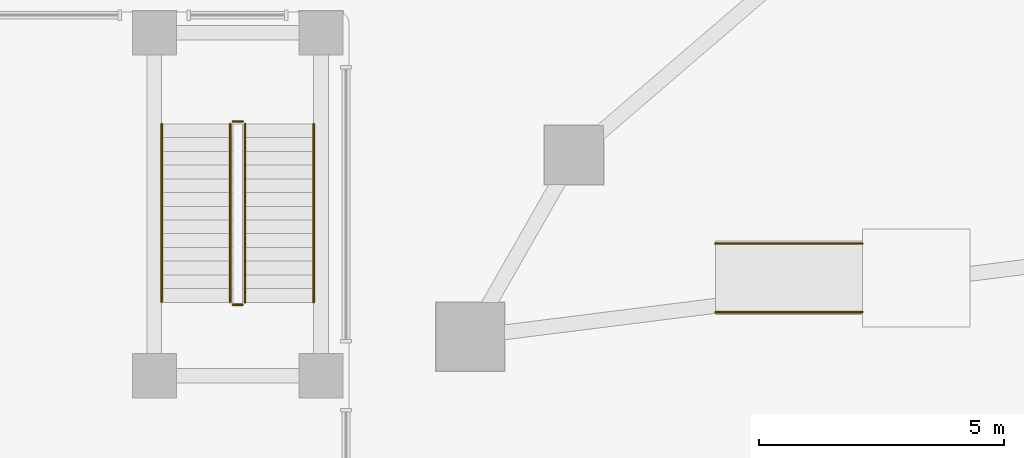
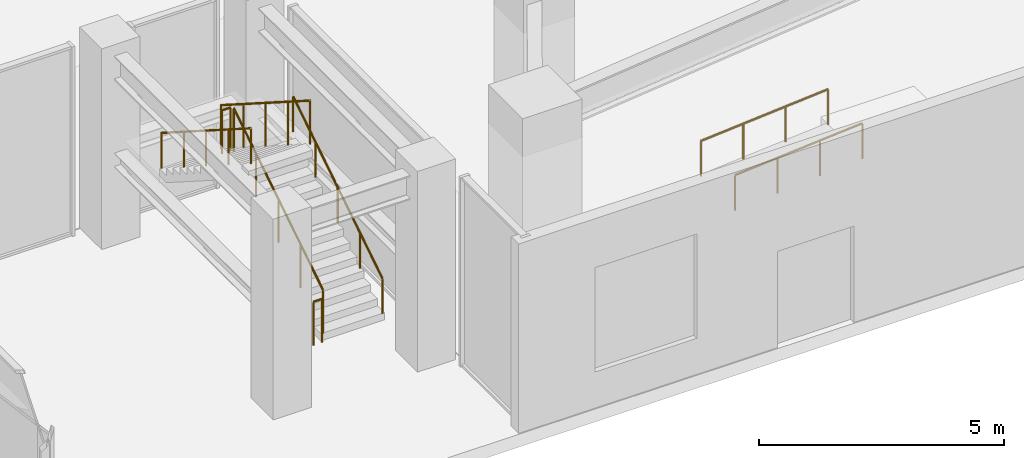
# One storey, part 13 of 22: 8 railings.
"""IFC4 building model written with IfcOpenShell, lengths in metres."""

from ifc_helpers import new_model, si_unit, direction, frame, origin, origin_2d, place, context, subcontext, project, spatial, circle, extrude, material, type_object, element, save


model = new_model("IFC4")

# Units and contexts
model_context = context("Model", 3, precision=1e-05, world=origin(), true_north=direction((0.0, 1.0)))
body_context = subcontext(model_context, "Body", "Model", "MODEL_VIEW")
ifc_project = project(units=[si_unit("LENGTHUNIT", "METRE"), si_unit("AREAUNIT", "SQUARE_METRE"), si_unit("VOLUMEUNIT", "CUBIC_METRE"), si_unit("PLANEANGLEUNIT", "RADIAN"), si_unit("MASSUNIT", "GRAM", prefix="KILO")], contexts=[model_context])

# Site, building, storey
site_placement = place(None, origin())
site = spatial("IfcSite", under=ifc_project, at=site_placement, CompositionType="ELEMENT")
building_placement = place(site_placement, origin())
building = spatial("IfcBuilding", under=site, at=building_placement, Name="Savorim Split Tower", CompositionType="ELEMENT")
storey_placement = place(building_placement, origin())
storey = spatial("IfcBuildingStorey", under=building, at=storey_placement, Name="L00", CompositionType="ELEMENT", Elevation=0.0)

# Railings
ifc_material = material(Name="Galvanised Painted Steel Balustrade", Category="steel")
railing_type_1 = type_object("IfcRailingType", Name="RLG-HR-900", PredefinedType="HANDRAIL", material=ifc_material)
railing_1_placement = place(storey_placement, frame((-25.699951171875, -23.300048828125, 0.178466796875)))
element("IfcRailing", 1, at=railing_1_placement, inside=storey, type_object=railing_type_1, Name="L00 ST-GDN stair handrail 1", PredefinedType="HANDRAIL", context=body_context, shape_type="SweptSolid", body=[
    extrude(circle(Radius=0.02392578125, at=origin_2d()), frame((0.0, 0.0, 0.8759765625), z_axis=(0.0, 0.843127859045, 0.537713132908), x_axis=(-1.0, 0.0, 0.0)), (0.0, 0.0, 1.0), 4.3173828125),
    extrude(circle(Radius=0.02099609375, at=origin_2d()), origin(), (0.0, 0.0, 1.0), 0.851806640625),
    extrude(circle(Radius=0.02099609375, at=origin_2d()), frame((0.0, 0.91015625, 0.580322265625)), (0.0, 0.0, 1.0), 0.851806640625),
    extrude(circle(Radius=0.02099609375, at=origin_2d()), frame((0.0, 1.820068359375, 1.16064453125)), (0.0, 0.0, 1.0), 0.851806640625),
    extrude(circle(Radius=0.02099609375, at=origin_2d()), frame((0.0, 2.72998046875, 1.7412109375)), (0.0, 0.0, 1.0), 0.851806640625),
    extrude(circle(Radius=0.02099609375, at=origin_2d()), frame((0.0, 3.64013671875, 2.321533203125)), (0.0, 0.0, 1.0), 0.851806640625),
])
railing_2_placement = place(storey_placement, frame((-28.800048828125, -19.659912109375, 2.678466796875)))
element("IfcRailing", 2, at=railing_2_placement, inside=storey, type_object=railing_type_1, Name="L00 ST-GDN stair handrail 2", PredefinedType="HANDRAIL", context=body_context, shape_type="SweptSolid", body=[
    extrude(circle(Radius=0.02392578125, at=origin_2d()), frame((0.0, 0.0, 0.8759765625), z_axis=(0.0, -0.843127859045, 0.537713132908), x_axis=(1.0, 0.0, 0.0)), (0.0, 0.0, 1.0), 4.3173828125),
    extrude(circle(Radius=0.02099609375, at=origin_2d()), origin(), (0.0, 0.0, 1.0), 0.851806640625),
    extrude(circle(Radius=0.02099609375, at=origin_2d()), frame((0.0, -0.91015625, 0.580322265625)), (0.0, 0.0, 1.0), 0.851806640625),
    extrude(circle(Radius=0.02099609375, at=origin_2d()), frame((0.0, -1.820068359375, 1.16064453125)), (0.0, 0.0, 1.0), 0.851806640625),
    extrude(circle(Radius=0.02099609375, at=origin_2d()), frame((0.0, -2.72998046875, 1.7412109375)), (0.0, 0.0, 1.0), 0.851806640625),
    extrude(circle(Radius=0.02099609375, at=origin_2d()), frame((0.0, -3.64013671875, 2.321533203125)), (0.0, 0.0, 1.0), 0.851806640625),
])
for number, where, name in (
    (3, (-17.5, -23.5, 0.0), "L00 South West Colonnade Arrival Ramp Handrail 1"),
    (4, (-17.5, -22.10009765625, 0.0), "L00 South West Colonnade Arrival Ramp Handrail 2"),
):
    element("IfcRailing", number, at=place(storey_placement, frame(where)), inside=storey, type_object=railing_type_1, Name=name, PredefinedType="HANDRAIL", context=body_context, shape_type="SweptSolid", body=[
        extrude(circle(Radius=0.02392578125, at=origin_2d()), frame((0.0, 0.0, 0.8759765625), z_axis=(0.996815536467, 0.0, 0.079741998075), x_axis=(0.0, 1.0, 0.0)), (0.0, 0.0, 1.0), 3.009521484375),
        extrude(circle(Radius=0.02099609375, at=origin_2d()), origin(), (0.0, 0.0, 1.0), 0.851806640625),
        extrude(circle(Radius=0.02099609375, at=origin_2d()), frame((1.0, 0.0, 0.080078125)), (0.0, 0.0, 1.0), 0.851806640625),
        extrude(circle(Radius=0.02099609375, at=origin_2d()), frame((2.0, 0.0, 0.159912109375)), (0.0, 0.0, 1.0), 0.851806640625),
        extrude(circle(Radius=0.02099609375, at=origin_2d()), frame((3.0, 0.0, 0.239990234375)), (0.0, 0.0, 1.0), 0.851806640625),
    ])
railing_type_2 = type_object("IfcRailingType", Name="RLG-STG-1100", PredefinedType="BALUSTRADE", material=ifc_material)
railing_3_placement = place(storey_placement, frame((-27.10009765625, -23.300048828125, 0.178466796875)))
element("IfcRailing", 5, at=railing_3_placement, inside=storey, type_object=railing_type_2, Name="L00 ST-GDN stair guard 1", PredefinedType="BALUSTRADE", context=body_context, shape_type="SweptSolid", body=[
    extrude(circle(Radius=0.02392578125, at=origin_2d()), frame((0.0, 0.0, 1.076171875), z_axis=(0.0, 0.843127859045, 0.537713132908), x_axis=(-1.0, 0.0, 0.0)), (0.0, 0.0, 1.0), 4.3173828125),
    extrude(circle(Radius=0.02099609375, at=origin_2d()), origin(), (0.0, 0.0, 1.0), 1.052001953125),
    extrude(circle(Radius=0.02099609375, at=origin_2d()), frame((0.0, 0.91015625, 0.580322265625)), (0.0, 0.0, 1.0), 1.052001953125),
    extrude(circle(Radius=0.02099609375, at=origin_2d()), frame((0.0, 1.820068359375, 1.16064453125)), (0.0, 0.0, 1.0), 1.052001953125),
    extrude(circle(Radius=0.02099609375, at=origin_2d()), frame((0.0, 2.72998046875, 1.7412109375)), (0.0, 0.0, 1.0), 1.052001953125),
    extrude(circle(Radius=0.02099609375, at=origin_2d()), frame((0.0, 3.64013671875, 2.321533203125)), (0.0, 0.0, 1.0), 1.052001953125),
])
railing_4_placement = place(storey_placement, frame((-27.14990234375, -19.610107421875, 2.5)))
element("IfcRailing", 6, at=railing_4_placement, inside=storey, type_object=railing_type_2, Name="L00 ST-GDN stair guard 2", PredefinedType="BALUSTRADE", context=body_context, shape_type="SweptSolid", body=[
    extrude(circle(Radius=0.02392578125, at=origin_2d()), frame((0.0, 0.0, 1.076171875), z_axis=(-1.0, 0.0, 0.0), x_axis=(0.0, -1.0, 0.0)), (0.0, 0.0, 1.0), 0.2001953125),
    extrude(circle(Radius=0.02099609375, at=origin_2d()), origin(), (0.0, 0.0, 1.0), 1.052001953125),
    extrude(circle(Radius=0.02099609375, at=origin_2d()), frame((-0.2001953125, 0.0, 0.0)), (0.0, 0.0, 1.0), 1.052001953125),
])
railing_5_placement = place(storey_placement, frame((-27.39990234375, -19.659912109375, 2.678466796875)))
element("IfcRailing", 7, at=railing_5_placement, inside=storey, type_object=railing_type_2, Name="L00 ST-GDN stair guard 3", PredefinedType="BALUSTRADE", context=body_context, shape_type="SweptSolid", body=[
    extrude(circle(Radius=0.02392578125, at=origin_2d()), frame((0.0, 0.0, 1.076171875), z_axis=(0.0, -0.843127859045, 0.537713132908), x_axis=(1.0, 0.0, 0.0)), (0.0, 0.0, 1.0), 4.3173828125),
    extrude(circle(Radius=0.02099609375, at=origin_2d()), origin(), (0.0, 0.0, 1.0), 1.052001953125),
    extrude(circle(Radius=0.02099609375, at=origin_2d()), frame((0.0, -0.91015625, 0.580322265625)), (0.0, 0.0, 1.0), 1.052001953125),
    extrude(circle(Radius=0.02099609375, at=origin_2d()), frame((0.0, -1.820068359375, 1.16064453125)), (0.0, 0.0, 1.0), 1.052001953125),
    extrude(circle(Radius=0.02099609375, at=origin_2d()), frame((0.0, -2.72998046875, 1.7412109375)), (0.0, 0.0, 1.0), 1.052001953125),
    extrude(circle(Radius=0.02099609375, at=origin_2d()), frame((0.0, -3.64013671875, 2.321533203125)), (0.0, 0.0, 1.0), 1.052001953125),
])
railing_6_placement = place(storey_placement, frame((-27.14990234375, -23.35009765625, 0.0)))
element("IfcRailing", 8, at=railing_6_placement, inside=storey, type_object=railing_type_2, Name="L00 ST-GDN stair guard 4", PredefinedType="BALUSTRADE", context=body_context, shape_type="SweptSolid", body=[
    extrude(circle(Radius=0.02392578125, at=origin_2d()), frame((0.0, 0.0, 1.076171875), z_axis=(-1.0, 0.0, 0.0), x_axis=(0.0, -1.0, 0.0)), (0.0, 0.0, 1.0), 0.2001953125),
    extrude(circle(Radius=0.02099609375, at=origin_2d()), origin(), (0.0, 0.0, 1.0), 1.052001953125),
    extrude(circle(Radius=0.02099609375, at=origin_2d()), frame((-0.2001953125, 0.0, 0.0)), (0.0, 0.0, 1.0), 1.052001953125),
])

save(model, "model.ifc")
